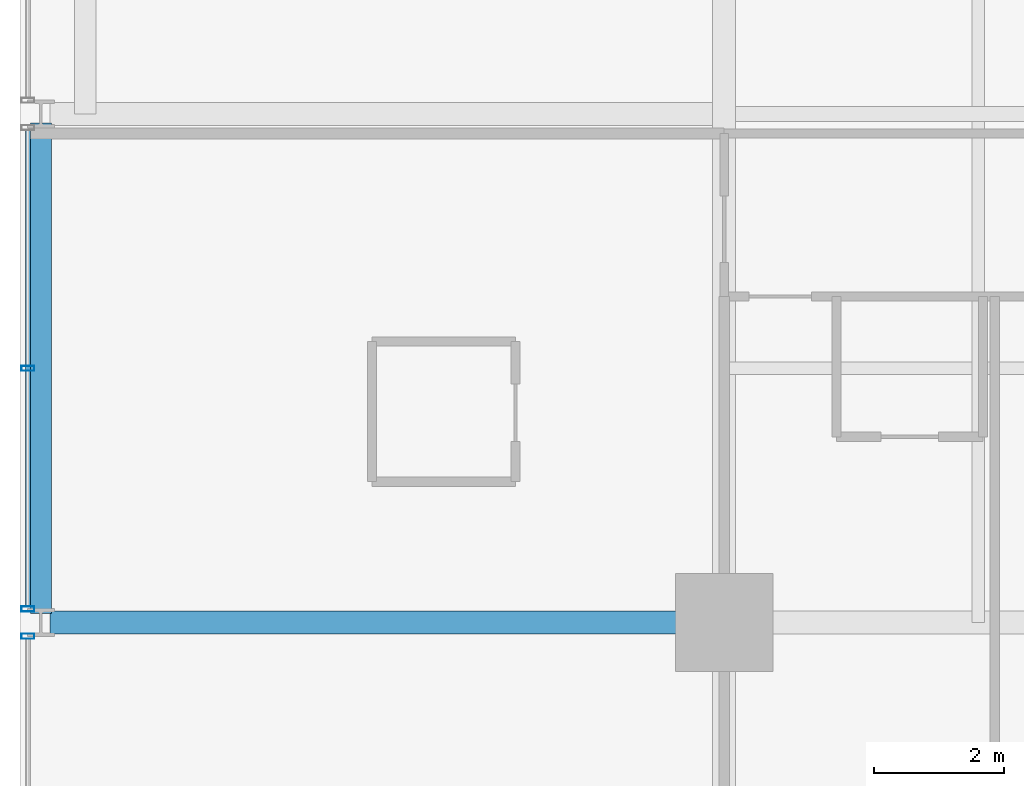
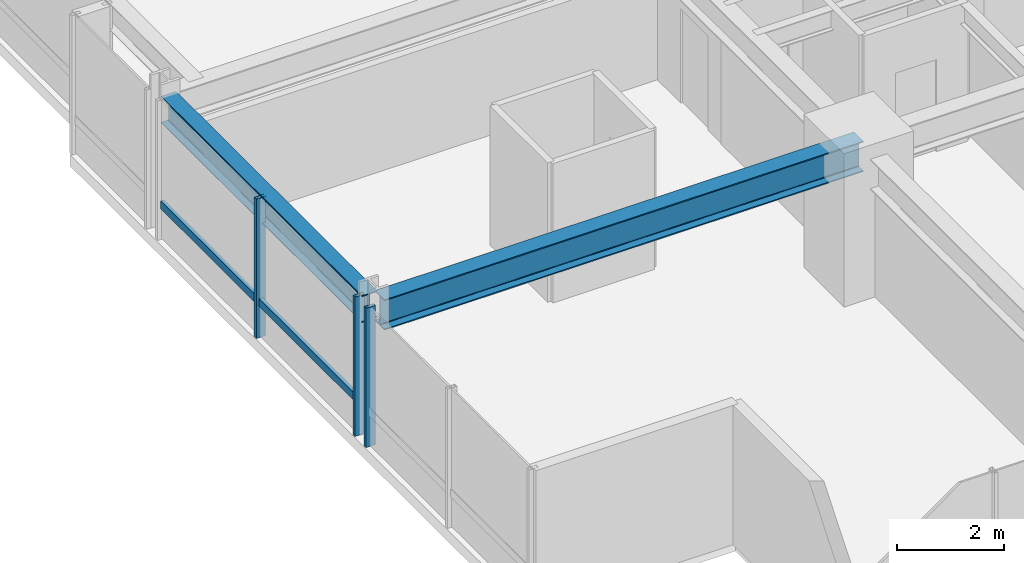
# One storey, part 4 of 35: 4 members, 2 beams, 2 elements without a shape of their own.
"""IFC4 building model written with IfcOpenShell, lengths in metres."""

from ifc_helpers import new_model, si_unit, direction, frame, origin, origin_2d, place, context, subcontext, project, spatial, hollow_rectangle, i_section, extrude, material, layer, layer_set, material_profile, profile_set, type_object, element, aggregate, save


model = new_model("IFC4")

# Units and contexts
model_context = context("Model", 3, precision=1e-05, world=origin(), true_north=direction((0.0, 1.0)))
body_context = subcontext(model_context, "Body", "Model", "MODEL_VIEW")
ifc_project = project(units=[si_unit("LENGTHUNIT", "METRE"), si_unit("AREAUNIT", "SQUARE_METRE"), si_unit("VOLUMEUNIT", "CUBIC_METRE"), si_unit("PLANEANGLEUNIT", "RADIAN"), si_unit("MASSUNIT", "GRAM", prefix="KILO")], contexts=[model_context])

# Site, building, storey
site_placement = place(None, origin())
site = spatial("IfcSite", under=ifc_project, at=site_placement, CompositionType="ELEMENT")
building_placement = place(site_placement, origin())
building = spatial("IfcBuilding", under=site, at=building_placement, Name="Drelvath Grand Hotel", CompositionType="ELEMENT")
storey_placement = place(building_placement, frame((0.0, 0.0, 137.300048828125)))
storey = spatial("IfcBuildingStorey", under=building, at=storey_placement, Name="L35", CompositionType="ELEMENT", Elevation=137.300048828125)

# Curtain wall, member
ifc_material_1 = material(Name="Champagne Bronze Anodised Aluminium Frame", Category="aluminium")
ifc_layer = layer(ifc_material_1, 0.199951171875)
ifc_layer_set = layer_set([ifc_layer], Name="Champagne Bronze Anodised Aluminium Frame")
curtain_wall_type = type_object("IfcCurtainWallType", Name="Stick Curtain Wall CW-03 Champagne Bronze Mid-Rise", PredefinedType="NOTDEFINED", material=ifc_layer_set)
curtain_wall_1_placement = place(storey_placement, origin())
curtain_wall_1 = element("IfcCurtainWall", 1, at=curtain_wall_1_placement, inside=storey, type_object=curtain_wall_type, Name="L35 CW-03 Curtain Wall CW03-L35-WS2", PredefinedType="NOTDEFINED")
ifc_material_profile_1 = material_profile(ifc_material_1, hollow_rectangle(XDim=0.074951171875, YDim=0.179931640625, WallThickness=0.0048828125, at=origin_2d()), Name="HSS180X75X5")
ifc_profile_set_1 = profile_set([ifc_material_profile_1], Name="Champagne Bronze Anodised Aluminium Frame")
member_type_1 = type_object("IfcMemberType", Name="Curtain Wall Horizontal Transom CW-03 HSS180X75X5", PredefinedType="USERDEFINED", material=ifc_profile_set_1)
member_1_placement = place(storey_placement, frame((-26.8798828125, 11.04931640625, 0.794921875), z_axis=(0.0, 1.0, 0.0), x_axis=(-1.0, 0.0, 0.0)))
member_1 = element("IfcMember", 2, at=member_1_placement, type_object=member_type_1, Name="CW03-L35-WS2 Sill Transom", ObjectType="TRANSOM", PredefinedType="USERDEFINED", context=body_context, shape_type="SweptSolid", body=[
    extrude(hollow_rectangle(XDim=0.074951171875, YDim=0.179931640625, WallThickness=0.0048828125, at=origin_2d()), origin(), (0.0, 0.0, 1.0), 7.30126953125),
])

curtain_wall_2_placement = place(storey_placement, origin())
curtain_wall_2 = element("IfcCurtainWall", 3, at=curtain_wall_2_placement, inside=storey, type_object=curtain_wall_type, Name="L35 CW-03 Curtain Wall CW03-L35-WS1", PredefinedType="NOTDEFINED")
ifc_material_profile_2 = material_profile(ifc_material_1, hollow_rectangle(XDim=0.080078125, YDim=0.199951171875, WallThickness=0.0048828125, at=origin_2d()), Name="HSS200X80X5")
ifc_profile_set_2 = profile_set([ifc_material_profile_2], Name="Champagne Bronze Anodised Aluminium Frame")
member_type_2 = type_object("IfcMemberType", Name="Curtain Wall Vertical Mullion CW-03 HSS200X80X5", PredefinedType="MULLION", material=ifc_profile_set_2)
member_2_placement = place(storey_placement, frame((-26.8798828125, 10.590576171875, 0.0), z_axis=(0.0, 0.0, 1.0), x_axis=(0.0, 1.0, 0.0)))
member_2 = element("IfcMember", 4, at=member_2_placement, type_object=member_type_2, Name="CW03-L35-WS1 Mullion 3", PredefinedType="MULLION", context=body_context, shape_type="SweptSolid", body=[
    extrude(hollow_rectangle(XDim=0.080078125, YDim=0.199951171875, WallThickness=0.0048828125, at=origin_2d()), origin(), (0.0, 0.0, 1.0), 3.179931640625),
])
aggregate(curtain_wall_2, [member_2])

# Member
member_3_placement = place(storey_placement, frame((-26.8798828125, 11.009521484375, 0.0), z_axis=(0.0, 0.0, 1.0), x_axis=(0.0, 1.0, 0.0)))
member_3 = element("IfcMember", 5, at=member_3_placement, type_object=member_type_2, Name="CW03-L35-WS2 Mullion 1", PredefinedType="MULLION", context=body_context, shape_type="SweptSolid", body=[
    extrude(hollow_rectangle(XDim=0.080078125, YDim=0.199951171875, WallThickness=0.0048828125, at=origin_2d()), origin(), (0.0, 0.0, 1.0), 3.179931640625),
])

member_4_placement = place(storey_placement, frame((-26.8798828125, 14.699951171875, 0.0), z_axis=(0.0, 0.0, 1.0), x_axis=(0.0, 1.0, 0.0)))
member_4 = element("IfcMember", 6, at=member_4_placement, type_object=member_type_2, Name="CW03-L35-WS2 Mullion 2", PredefinedType="MULLION", context=body_context, shape_type="SweptSolid", body=[
    extrude(hollow_rectangle(XDim=0.080078125, YDim=0.199951171875, WallThickness=0.0048828125, at=origin_2d()), origin(), (0.0, 0.0, 1.0), 3.179931640625),
])

aggregate(curtain_wall_1, [member_3, member_4, member_1])

# Beams
ifc_material_2 = material(Name="Steel ASTM A992 Gr 50", Category="steel")
ifc_material_profile_3 = material_profile(ifc_material_2, i_section(OverallWidth=0.323974609375, OverallDepth=0.611083984375, WebThickness=0.0126953125, FlangeThickness=0.01904296875, FilletRadius=0.02197265625, at=origin_2d()), Name="W24X104")
ifc_profile_set_3 = profile_set([ifc_material_profile_3], Name="Steel ASTM A992 Gr 50")
beam_type_1 = type_object("IfcBeamType", Name="Perimeter Spandrel Beam W24X104", PredefinedType="SPANDREL", material=ifc_profile_set_3)
beam_1_placement = place(storey_placement, frame((-26.679931640625, 10.93994140625, 2.874267578125), z_axis=(0.0, 1.0, 0.0), x_axis=(-1.0, 0.0, 0.0)))
element("IfcBeam", 7, at=beam_1_placement, inside=storey, type_object=beam_type_1, Name="L35 Spandrel West S", PredefinedType="SPANDREL", context=body_context, shape_type="SweptSolid", body=[
    extrude(i_section(OverallWidth=0.323974609375, OverallDepth=0.611083984375, WebThickness=0.0126953125, FlangeThickness=0.01904296875, FilletRadius=0.02197265625, at=origin_2d()), origin(), (0.0, 0.0, 1.0), 7.52001953125),
])
ifc_material_profile_4 = material_profile(ifc_material_2, i_section(OverallWidth=0.354736328125, OverallDepth=0.695556640625, WebThickness=0.015380859375, FlangeThickness=0.025146484375, FilletRadius=0.02392578125, at=origin_2d()), Name="W27X146")
ifc_profile_set_4 = profile_set([ifc_material_profile_4], Name="Steel ASTM A992 Gr 50")
beam_type_2 = type_object("IfcBeamType", Name="Primary Floor Girder W27X146", PredefinedType="BEAM", material=ifc_profile_set_4)
beam_2_placement = place(storey_placement, frame((-26.5400390625, 10.800048828125, 2.83203125), z_axis=(1.0, 0.0, 0.0), x_axis=(0.0, 1.0, 0.0)))
element("IfcBeam", 8, at=beam_2_placement, inside=storey, type_object=beam_type_2, Name="L35 West Grid Girder C", PredefinedType="BEAM", context=body_context, shape_type="SweptSolid", body=[
    extrude(i_section(OverallWidth=0.354736328125, OverallDepth=0.695556640625, WebThickness=0.015380859375, FlangeThickness=0.025146484375, FilletRadius=0.02392578125, at=origin_2d()), origin(), (0.0, 0.0, 1.0), 10.340087890625),
])

save(model, "model.ifc")
